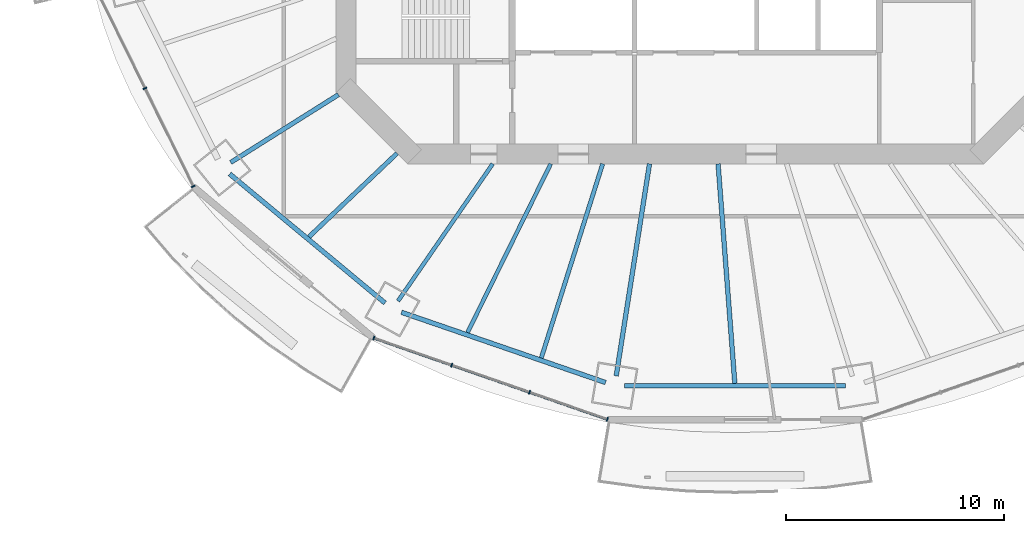
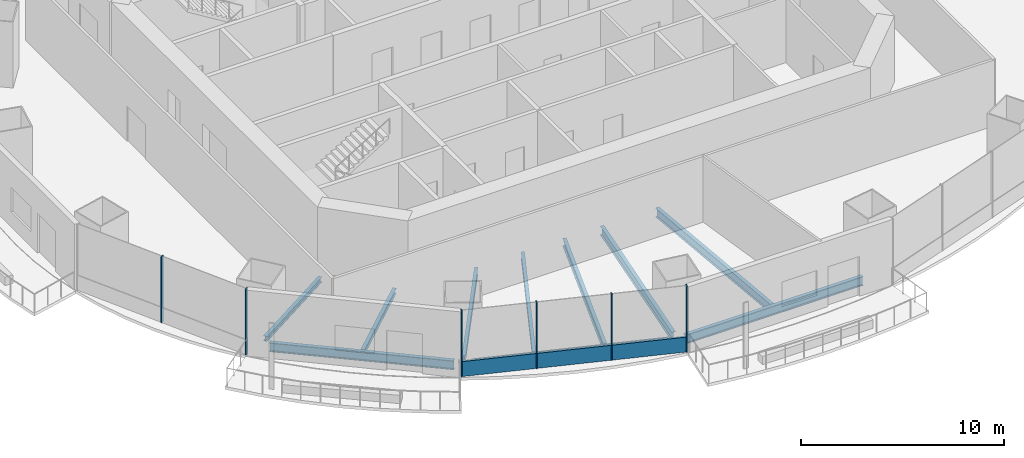
# One storey, part 2 of 19: 10 beams, 7 members, 2 elements without a shape of their own.
"""IFC4 building model written with IfcOpenShell, lengths in metres."""

from ifc_helpers import new_model, si_unit, direction, frame, origin, origin_2d, place, context, subcontext, project, spatial, rectangle, i_section, extrude, material, material_profile, profile_set, type_object, element, aggregate, save


model = new_model("IFC4")

# Units and contexts
model_context = context("Model", 3, precision=1e-05, world=origin(), true_north=direction((0.0, 1.0)))
body_context = subcontext(model_context, "Body", "Model", "MODEL_VIEW")
ifc_project = project(units=[si_unit("LENGTHUNIT", "METRE"), si_unit("AREAUNIT", "SQUARE_METRE"), si_unit("VOLUMEUNIT", "CUBIC_METRE"), si_unit("PLANEANGLEUNIT", "RADIAN"), si_unit("MASSUNIT", "GRAM", prefix="KILO")], contexts=[model_context])

# Site, building, storey
site_placement = place(None, origin())
site = spatial("IfcSite", under=ifc_project, at=site_placement, CompositionType="ELEMENT")
building_placement = place(site_placement, origin())
building = spatial("IfcBuilding", under=site, at=building_placement, Name="Marenthal Gate Tower", CompositionType="ELEMENT")
storey_placement = place(building_placement, frame((0.0, 0.0, 256.5)))
storey = spatial("IfcBuildingStorey", under=building, at=storey_placement, Name="L57", CompositionType="ELEMENT", Elevation=256.5)

# Curtain wall, members
ifc_material_1 = material(Name="Aluminium and glass", Category="aluminium")
curtain_wall_type = type_object("IfcCurtainWallType", Name="Curtain wall typical mid", PredefinedType="NOTDEFINED", material=ifc_material_1)
curtain_wall_1_placement = place(storey_placement, origin())
curtain_wall_1 = element("IfcCurtainWall", 1, at=curtain_wall_1_placement, inside=storey, type_object=curtain_wall_type, Name="Curtain wall L57 bay 9", PredefinedType="NOTDEFINED")
ifc_material_2 = material(Name="Aluminium", Category="aluminium")
ifc_material_profile_1 = material_profile(ifc_material_2, rectangle(XDim=0.179931640625, YDim=0.06005859375, at=origin_2d()), Name="60x180 aluminium mullion")
ifc_profile_set_1 = profile_set([ifc_material_profile_1], Name="Aluminium")
member_type_1 = type_object("IfcMemberType", Name="Mullion 60x180 typical mid", PredefinedType="MULLION", material=ifc_profile_set_1)
member_1_placement = place(storey_placement, frame((-25.205322265625, -9.99609375, 0.0), z_axis=(0.0, 0.0, 1.0), x_axis=(0.896882319585, 0.44226926732, 0.0)))
member_1 = element("IfcMember", 2, at=member_1_placement, type_object=member_type_1, Name="Mullion L57 bay 9.2", PredefinedType="MULLION", context=body_context, shape_type="SweptSolid", body=[
    extrude(rectangle(XDim=0.179931640625, YDim=0.06005859375, at=origin_2d()), origin(), (0.0, 0.0, 1.0), 3.969970703125),
])
member_2_placement = place(storey_placement, frame((-22.99365234375, -14.481201171875, 0.0), z_axis=(0.0, 0.0, 1.0), x_axis=(0.896882319585, 0.44226926732, 0.0)))
member_2 = element("IfcMember", 3, at=member_2_placement, type_object=member_type_1, Name="Mullion L57 bay 9.3", PredefinedType="MULLION", context=body_context, shape_type="SweptSolid", body=[
    extrude(rectangle(XDim=0.179931640625, YDim=0.06005859375, at=origin_2d()), origin(), (0.0, 0.0, 1.0), 3.969970703125),
])
aggregate(curtain_wall_1, [member_1, member_2])

curtain_wall_2_placement = place(storey_placement, origin())
curtain_wall_2 = element("IfcCurtainWall", 4, at=curtain_wall_2_placement, inside=storey, type_object=curtain_wall_type, Name="Curtain wall L57 bay 11", PredefinedType="NOTDEFINED")
member_3_placement = place(storey_placement, frame((-14.729248046875, -21.4248046875, 0.0), z_axis=(0.0, 0.0, 1.0), x_axis=(0.328612003593, 0.944465007872, 0.0)))
member_3 = element("IfcMember", 5, at=member_3_placement, type_object=member_type_1, Name="Mullion L57 bay 11.1", PredefinedType="MULLION", context=body_context, shape_type="SweptSolid", body=[
    extrude(rectangle(XDim=0.179931640625, YDim=0.06005859375, at=origin_2d()), origin(), (0.0, 0.0, 1.0), 3.969970703125),
])
member_4_placement = place(storey_placement, frame((-11.167236328125, -22.664306640625, 0.0), z_axis=(0.0, 0.0, 1.0), x_axis=(0.328612003593, 0.944465007872, 0.0)))
member_4 = element("IfcMember", 6, at=member_4_placement, type_object=member_type_1, Name="Mullion L57 bay 11.2", PredefinedType="MULLION", context=body_context, shape_type="SweptSolid", body=[
    extrude(rectangle(XDim=0.179931640625, YDim=0.06005859375, at=origin_2d()), origin(), (0.0, 0.0, 1.0), 3.969970703125),
])
member_5_placement = place(storey_placement, frame((-7.60498046875, -23.90380859375, 0.0), z_axis=(0.0, 0.0, 1.0), x_axis=(0.328612003593, 0.944465007872, 0.0)))
member_5 = element("IfcMember", 7, at=member_5_placement, type_object=member_type_1, Name="Mullion L57 bay 11.3", PredefinedType="MULLION", context=body_context, shape_type="SweptSolid", body=[
    extrude(rectangle(XDim=0.179931640625, YDim=0.06005859375, at=origin_2d()), origin(), (0.0, 0.0, 1.0), 3.969970703125),
])
member_6_placement = place(storey_placement, frame((-4.042724609375, -25.14306640625, 0.0), z_axis=(0.0, 0.0, 1.0), x_axis=(0.328612003593, 0.944465007872, 0.0)))
member_6 = element("IfcMember", 8, at=member_6_placement, type_object=member_type_1, Name="Mullion L57 bay 11.4", PredefinedType="MULLION", context=body_context, shape_type="SweptSolid", body=[
    extrude(rectangle(XDim=0.179931640625, YDim=0.06005859375, at=origin_2d()), origin(), (0.0, 0.0, 1.0), 3.969970703125),
])
ifc_material_3 = material(Name="Aluminium", Category="aluminium")
ifc_material_profile_2 = material_profile(ifc_material_3, rectangle(XDim=0.1201171875, YDim=0.89990234375, at=origin_2d()), Name="120x900 aluminium transom")
ifc_profile_set_2 = profile_set([ifc_material_profile_2], Name="Aluminium")
member_type_2 = type_object("IfcMemberType", Name="Transom 120x900 typical mid", PredefinedType="USERDEFINED", material=ifc_profile_set_2)
member_7_placement = place(storey_placement, frame((-14.700927734375, -21.434814453125, 0.449951171875), z_axis=(0.944465479989, -0.328610646678, 0.0), x_axis=(0.328610646678, 0.944465479989, 0.0)))
member_7 = element("IfcMember", 9, at=member_7_placement, type_object=member_type_2, Name="Transom L57 bay 11", ObjectType="TRANSOM", PredefinedType="USERDEFINED", context=body_context, shape_type="SweptSolid", body=[
    extrude(rectangle(XDim=0.1201171875, YDim=0.89990234375, at=origin_2d()), origin(), (0.0, 0.0, 1.0), 11.2548828125),
])
aggregate(curtain_wall_2, [member_3, member_4, member_5, member_6, member_7])

# Beams
ifc_material_4 = material(Name="Steel S355", Category="steel")
ifc_material_profile_3 = material_profile(ifc_material_4, i_section(OverallWidth=0.202880859375, OverallDepth=0.302001953125, WebThickness=0.007568359375, FlangeThickness=0.01318359375, FilletRadius=0.0126953125, at=origin_2d()), Name="W310X60")
ifc_profile_set_3 = profile_set([ifc_material_profile_3], Name="Steel S355")
beam_type_1 = type_object("IfcBeamType", Name="W310X60 beam", PredefinedType="BEAM", material=ifc_profile_set_3)
beam_1_placement = place(storey_placement, frame((-17.69580078125, -16.792236328125, -0.3310546875), z_axis=(0.725392221284, 0.688335764943, 0.0), x_axis=(-0.688335764943, 0.725392221284, 0.0)))
element("IfcBeam", 10, at=beam_1_placement, inside=storey, type_object=beam_type_1, Name="BM-L57-31", PredefinedType="BEAM", context=body_context, shape_type="SweptSolid", body=[
    extrude(i_section(OverallWidth=0.202880859375, OverallDepth=0.302001953125, WebThickness=0.007568359375, FlangeThickness=0.01318359375, FilletRadius=0.0126953125, at=origin_2d()), origin(), (0.0, 0.0, 1.0), 5.553955078125),
])
ifc_material_5 = material(Name="Steel S355", Category="steel")
ifc_material_profile_4 = material_profile(ifc_material_5, i_section(OverallWidth=0.205078125, OverallDepth=0.31005859375, WebThickness=0.009521484375, FlangeThickness=0.016357421875, FilletRadius=0.0126953125, at=origin_2d()), Name="W310X74")
ifc_profile_set_4 = profile_set([ifc_material_profile_4], Name="Steel S355")
beam_type_2 = type_object("IfcBeamType", Name="W310X74 beam", PredefinedType="BEAM", material=ifc_profile_set_4)
beam_2_placement = place(storey_placement, frame((-21.2802734375, -13.38720703125, -0.3349609375), z_axis=(0.846430888561, 0.532498592383, 0.0), x_axis=(-0.532498592383, 0.846430888561, 0.0)))
element("IfcBeam", 11, at=beam_2_placement, inside=storey, type_object=beam_type_2, Name="BM-L57-10", PredefinedType="BEAM", context=body_context, shape_type="SweptSolid", body=[
    extrude(i_section(OverallWidth=0.205078125, OverallDepth=0.31005859375, WebThickness=0.009521484375, FlangeThickness=0.016357421875, FilletRadius=0.0126953125, at=origin_2d()), origin(), (0.0, 0.0, 1.0), 5.823974609375),
])
ifc_material_6 = material(Name="Steel S355", Category="steel")
ifc_material_profile_5 = material_profile(ifc_material_6, i_section(OverallWidth=0.180908203125, OverallDepth=0.4169921875, WebThickness=0.010986328125, FlangeThickness=0.018310546875, FilletRadius=0.01025390625, at=origin_2d()), Name="W410X85")
ifc_profile_set_5 = profile_set([ifc_material_profile_5], Name="Steel S355")
beam_type_3 = type_object("IfcBeamType", Name="W410X85 beam", PredefinedType="BEAM", material=ifc_profile_set_5)
beam_3_placement = place(storey_placement, frame((-13.62158203125, -19.727294921875, -0.388427734375), z_axis=(0.568201036983, 0.822889774862, 0.0), x_axis=(-0.822889774862, 0.568201036983, 0.0)))
element("IfcBeam", 12, at=beam_3_placement, inside=storey, type_object=beam_type_3, Name="BM-L57-11", PredefinedType="BEAM", context=body_context, shape_type="SweptSolid", body=[
    extrude(i_section(OverallWidth=0.180908203125, OverallDepth=0.4169921875, WebThickness=0.010986328125, FlangeThickness=0.018310546875, FilletRadius=0.01025390625, at=origin_2d()), origin(), (0.0, 0.0, 1.0), 7.62841796875),
])
beam_4_placement = place(storey_placement, frame((-10.44140625, -21.1728515625, -0.388427734375), z_axis=(0.442296233043, 0.896869021784, 0.0), x_axis=(-0.896869021784, 0.442296233043, 0.0)))
element("IfcBeam", 13, at=beam_4_placement, inside=storey, type_object=beam_type_3, Name="BM-L57-32", PredefinedType="BEAM", context=body_context, shape_type="SweptSolid", body=[
    extrude(i_section(OverallWidth=0.180908203125, OverallDepth=0.4169921875, WebThickness=0.010986328125, FlangeThickness=0.018310546875, FilletRadius=0.01025390625, at=origin_2d()), origin(), (0.0, 0.0, 1.0), 8.61083984375),
])
ifc_material_7 = material(Name="Steel S355", Category="steel")
ifc_material_profile_6 = material_profile(ifc_material_7, i_section(OverallWidth=0.193115234375, OverallDepth=0.467041015625, WebThickness=0.011474609375, FlangeThickness=0.01904296875, FilletRadius=0.010009765625, at=origin_2d()), Name="W460X97")
ifc_profile_set_6 = profile_set([ifc_material_profile_6], Name="Steel S355")
beam_type_4 = type_object("IfcBeamType", Name="W460X97 beam", PredefinedType="BEAM", material=ifc_profile_set_6)
beam_5_placement = place(storey_placement, frame((-7.065185546875, -22.3349609375, -0.41357421875), z_axis=(0.301595247425, 0.953436052775, 0.0), x_axis=(-0.953436052775, 0.301595247425, 0.0)))
element("IfcBeam", 14, at=beam_5_placement, inside=storey, type_object=beam_type_4, Name="BM-L57-33", PredefinedType="BEAM", context=body_context, shape_type="SweptSolid", body=[
    extrude(i_section(OverallWidth=0.193115234375, OverallDepth=0.467041015625, WebThickness=0.011474609375, FlangeThickness=0.01904296875, FilletRadius=0.010009765625, at=origin_2d()), origin(), (0.0, 0.0, 1.0), 9.31884765625),
])
ifc_material_8 = material(Name="Steel S355", Category="steel")
ifc_material_profile_7 = material_profile(ifc_material_8, i_section(OverallWidth=0.2099609375, OverallDepth=0.535888671875, WebThickness=0.010986328125, FlangeThickness=0.017333984375, FilletRadius=0.0126953125, at=origin_2d()), Name="W530X101")
ifc_profile_set_7 = profile_set([ifc_material_profile_7], Name="Steel S355")
beam_type_5 = type_object("IfcBeamType", Name="W530X101 beam", PredefinedType="BEAM", material=ifc_profile_set_7)
beam_6_placement = place(storey_placement, frame((-3.63623046875, -23.15869140625, -0.447998046875), z_axis=(0.15511419116, 0.987896547064, 0.0), x_axis=(-0.987896547064, 0.15511419116, 0.0)))
element("IfcBeam", 15, at=beam_6_placement, inside=storey, type_object=beam_type_5, Name="BM-L57-12", PredefinedType="BEAM", context=body_context, shape_type="SweptSolid", body=[
    extrude(i_section(OverallWidth=0.2099609375, OverallDepth=0.535888671875, WebThickness=0.010986328125, FlangeThickness=0.017333984375, FilletRadius=0.0126953125, at=origin_2d()), origin(), (0.0, 0.0, 1.0), 9.82763671875),
])
beam_7_placement = place(storey_placement, frame((1.7919921875, -23.497314453125, -0.447998046875), z_axis=(-0.076053569959, 0.997103733067, 0.0), x_axis=(-0.997103733067, -0.076053569959, 0.0)))
element("IfcBeam", 16, at=beam_7_placement, inside=storey, type_object=beam_type_5, Name="BM-L57-34", PredefinedType="BEAM", context=body_context, shape_type="SweptSolid", body=[
    extrude(i_section(OverallWidth=0.2099609375, OverallDepth=0.535888671875, WebThickness=0.010986328125, FlangeThickness=0.017333984375, FilletRadius=0.0126953125, at=origin_2d()), origin(), (0.0, 0.0, 1.0), 10.07666015625),
])
ifc_material_9 = material(Name="Steel S355", Category="steel")
ifc_material_profile_8 = material_profile(ifc_material_9, i_section(OverallWidth=0.2119140625, OverallDepth=0.5439453125, WebThickness=0.01318359375, FlangeThickness=0.021240234375, FilletRadius=0.0126953125, at=origin_2d()), Name="W530X123")
ifc_profile_set_8 = profile_set([ifc_material_profile_8], Name="Steel S355")
beam_type_6 = type_object("IfcBeamType", Name="W530X123 beam", PredefinedType="BEAM", material=ifc_profile_set_8)
beam_8_placement = place(storey_placement, frame((-21.3251953125, -13.9140625, -0.451904296875), z_axis=(0.769104243953, -0.639123354239, 0.0), x_axis=(0.639123354239, 0.769104243953, 0.0)))
element("IfcBeam", 17, at=beam_8_placement, inside=storey, type_object=beam_type_6, Name="BM-L57-50", PredefinedType="BEAM", context=body_context, shape_type="SweptSolid", body=[
    extrude(i_section(OverallWidth=0.2119140625, OverallDepth=0.5439453125, WebThickness=0.01318359375, FlangeThickness=0.021240234375, FilletRadius=0.0126953125, at=origin_2d()), origin(), (0.0, 0.0, 1.0), 9.2392578125),
])
beam_9_placement = place(storey_placement, frame((-13.46435546875, -20.244384765625, -0.451904296875), z_axis=(0.94555241885, -0.325469849919, 0.0), x_axis=(0.325469849919, 0.94555241885, 0.0)))
element("IfcBeam", 18, at=beam_9_placement, inside=storey, type_object=beam_type_6, Name="BM-L57-51", PredefinedType="BEAM", context=body_context, shape_type="SweptSolid", body=[
    extrude(i_section(OverallWidth=0.2119140625, OverallDepth=0.5439453125, WebThickness=0.01318359375, FlangeThickness=0.021240234375, FilletRadius=0.0126953125, at=origin_2d()), origin(), (0.0, 0.0, 1.0), 9.882080078125),
])
beam_10_placement = place(storey_placement, frame((-3.268310546875, -23.603271484375, -0.451904296875), z_axis=(1.0, 0.0, 0.0), x_axis=(0.0, 1.0, 0.0)))
element("IfcBeam", 19, at=beam_10_placement, inside=storey, type_object=beam_type_6, Name="BM-L57-52", PredefinedType="BEAM", context=body_context, shape_type="SweptSolid", body=[
    extrude(i_section(OverallWidth=0.2119140625, OverallDepth=0.5439453125, WebThickness=0.01318359375, FlangeThickness=0.021240234375, FilletRadius=0.0126953125, at=origin_2d()), origin(), (0.0, 0.0, 1.0), 10.13671875),
])

save(model, "model.ifc")
